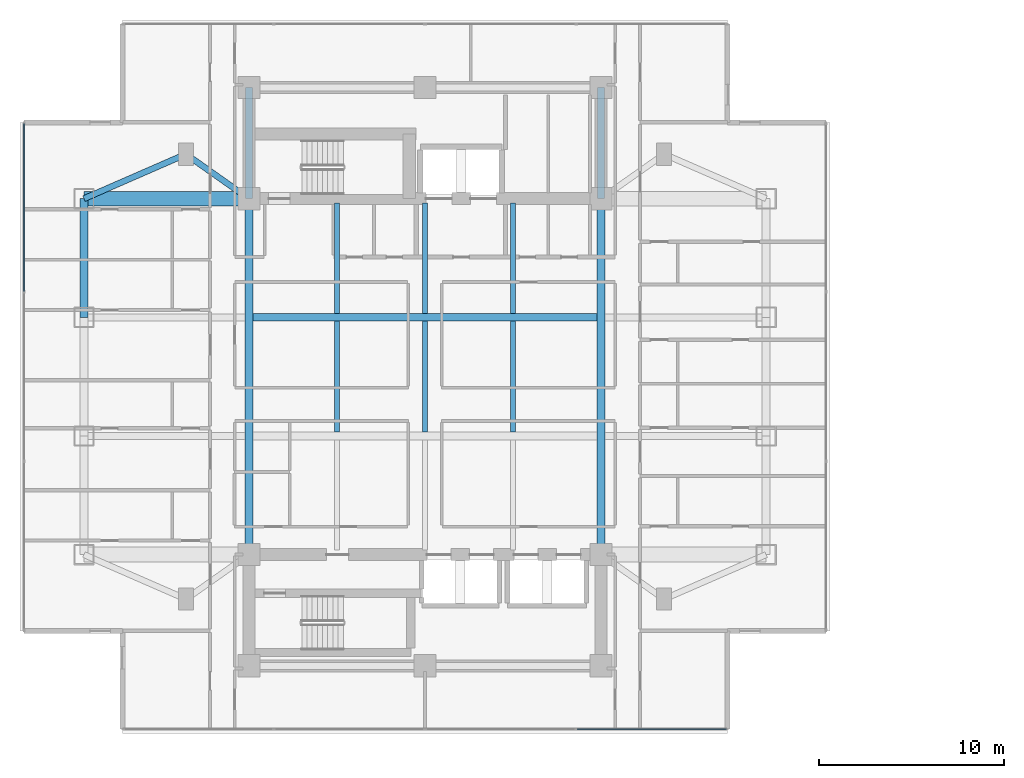
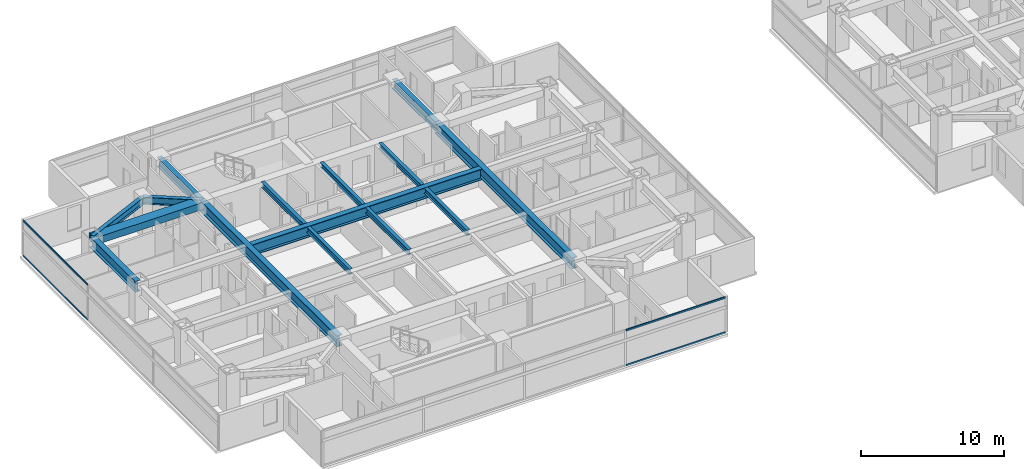
# One storey, part 3 of 25: 15 beams, 4 members, 2 elements without a shape of their own.
"""IFC4 building model written with IfcOpenShell, lengths in metres."""

from ifc_helpers import new_model, si_unit, direction, frame, origin, origin_2d, place, context, subcontext, project, spatial, rectangle, i_section, extrude, material, material_profile, profile_set, type_object, element, aggregate, save


model = new_model("IFC4")

# Units and contexts
model_context = context("Model", 3, precision=1e-05, world=origin(), true_north=direction((0.0, 1.0)))
body_context = subcontext(model_context, "Body", "Model", "MODEL_VIEW")
ifc_project = project(units=[si_unit("LENGTHUNIT", "METRE"), si_unit("AREAUNIT", "SQUARE_METRE"), si_unit("VOLUMEUNIT", "CUBIC_METRE"), si_unit("PLANEANGLEUNIT", "RADIAN"), si_unit("MASSUNIT", "GRAM", prefix="KILO")], contexts=[model_context])

# Site, building, storey
site_placement = place(None, origin())
site = spatial("IfcSite", under=ifc_project, at=site_placement, CompositionType="ELEMENT")
building_placement = place(site_placement, origin())
building = spatial("IfcBuilding", under=site, at=building_placement, Name="Mirazonda Arch Towers", CompositionType="ELEMENT")
storey_placement = place(building_placement, frame((0.0, 0.0, 104.89990234375)))
storey = spatial("IfcBuildingStorey", under=building, at=storey_placement, Name="L29", CompositionType="ELEMENT", Elevation=104.89990234375)

# Beams
ifc_material_1 = material(Name="Steel ASTM A992 Grade 50", Category="steel")
ifc_material_profile_1 = material_profile(ifc_material_1, i_section(OverallWidth=0.41796875, OverallDepth=0.927001953125, WebThickness=0.019287109375, FlangeThickness=0.031982421875, at=origin_2d()), Name="W36X231")
ifc_profile_set_1 = profile_set([ifc_material_profile_1], Name="Steel ASTM A992 Grade 50")
beam_type_1 = type_object("IfcBeamType", Name="BM-EXT-W36X231", PredefinedType="USERDEFINED", material=ifc_profile_set_1)
beam_1_placement = place(storey_placement, frame((2.10009765625, 31.199951171875, 2.61669921875), z_axis=(0.0, 1.0, 0.0), x_axis=(-1.0, 0.0, 0.0)))
element("IfcBeam", 1, at=beam_1_placement, inside=storey, type_object=beam_type_1, Name="L29 Floor Beam BM-T1-L29-NS-W-31", ObjectType="GIRDER", PredefinedType="USERDEFINED", context=body_context, shape_type="SweptSolid", body=[
    extrude(i_section(OverallWidth=0.41796875, OverallDepth=0.927001953125, WebThickness=0.019287109375, FlangeThickness=0.031982421875, at=origin_2d()), origin(), (0.0, 0.0, 1.0), 6.400146484375),
])
ifc_material_profile_2 = material_profile(ifc_material_1, i_section(OverallWidth=0.280029296875, OverallDepth=0.462890625, WebThickness=0.0107421875, FlangeThickness=0.017333984375, at=origin_2d()), Name="W18X76")
ifc_profile_set_2 = profile_set([ifc_material_profile_2], Name="Steel ASTM A992 Grade 50")
beam_type_2 = type_object("IfcBeamType", Name="BM-INT-W18X76", PredefinedType="JOIST", material=ifc_profile_set_2)
beam_2_placement = place(storey_placement, frame((15.75, 31.407470703125, 2.8486328125), z_axis=(0.0, 1.0, 0.0), x_axis=(-1.0, 0.0, 0.0)))
element("IfcBeam", 2, at=beam_2_placement, inside=storey, type_object=beam_type_2, Name="L29 Floor Beam BM-T1-L29-J-157-31", PredefinedType="JOIST", context=body_context, shape_type="SweptSolid", body=[
    extrude(i_section(OverallWidth=0.280029296875, OverallDepth=0.462890625, WebThickness=0.0107421875, FlangeThickness=0.017333984375, at=origin_2d()), origin(), (0.0, 0.0, 1.0), 5.95263671875),
])
beam_3_placement = place(storey_placement, frame((15.75, 25.007568359375, 2.8486328125), z_axis=(0.0, 1.0, 0.0), x_axis=(-1.0, 0.0, 0.0)))
element("IfcBeam", 3, at=beam_3_placement, inside=storey, type_object=beam_type_2, Name="L29 Floor Beam BM-T1-L29-J-157-24", PredefinedType="JOIST", context=body_context, shape_type="SweptSolid", body=[
    extrude(i_section(OverallWidth=0.280029296875, OverallDepth=0.462890625, WebThickness=0.0107421875, FlangeThickness=0.017333984375, at=origin_2d()), origin(), (0.0, 0.0, 1.0), 5.98486328125),
])
beam_4_placement = place(storey_placement, frame((20.5, 31.407470703125, 2.8486328125), z_axis=(0.0, 1.0, 0.0), x_axis=(-1.0, 0.0, 0.0)))
element("IfcBeam", 4, at=beam_4_placement, inside=storey, type_object=beam_type_2, Name="L29 Floor Beam BM-T1-L29-J-205-31", PredefinedType="JOIST", context=body_context, shape_type="SweptSolid", body=[
    extrude(i_section(OverallWidth=0.280029296875, OverallDepth=0.462890625, WebThickness=0.0107421875, FlangeThickness=0.017333984375, at=origin_2d()), origin(), (0.0, 0.0, 1.0), 5.95263671875),
])
beam_5_placement = place(storey_placement, frame((20.5, 25.007568359375, 2.8486328125), z_axis=(0.0, 1.0, 0.0), x_axis=(-1.0, 0.0, 0.0)))
element("IfcBeam", 5, at=beam_5_placement, inside=storey, type_object=beam_type_2, Name="L29 Floor Beam BM-T1-L29-J-205-24", PredefinedType="JOIST", context=body_context, shape_type="SweptSolid", body=[
    extrude(i_section(OverallWidth=0.280029296875, OverallDepth=0.462890625, WebThickness=0.0107421875, FlangeThickness=0.017333984375, at=origin_2d()), origin(), (0.0, 0.0, 1.0), 5.98486328125),
])
beam_6_placement = place(storey_placement, frame((25.25, 31.407470703125, 2.8486328125), z_axis=(0.0, 1.0, 0.0), x_axis=(-1.0, 0.0, 0.0)))
element("IfcBeam", 6, at=beam_6_placement, inside=storey, type_object=beam_type_2, Name="L29 Floor Beam BM-T1-L29-J-252-31", PredefinedType="JOIST", context=body_context, shape_type="SweptSolid", body=[
    extrude(i_section(OverallWidth=0.280029296875, OverallDepth=0.462890625, WebThickness=0.0107421875, FlangeThickness=0.017333984375, at=origin_2d()), origin(), (0.0, 0.0, 1.0), 5.95263671875),
])
beam_7_placement = place(storey_placement, frame((25.25, 25.007568359375, 2.8486328125), z_axis=(0.0, 1.0, 0.0), x_axis=(-1.0, 0.0, 0.0)))
element("IfcBeam", 7, at=beam_7_placement, inside=storey, type_object=beam_type_2, Name="L29 Floor Beam BM-T1-L29-J-252-24", PredefinedType="JOIST", context=body_context, shape_type="SweptSolid", body=[
    extrude(i_section(OverallWidth=0.280029296875, OverallDepth=0.462890625, WebThickness=0.0107421875, FlangeThickness=0.017333984375, at=origin_2d()), origin(), (0.0, 0.0, 1.0), 5.98486328125),
])
ifc_material_profile_3 = material_profile(ifc_material_1, i_section(OverallWidth=0.324951171875, OverallDepth=0.615966796875, WebThickness=0.013916015625, FlangeThickness=0.021484375, at=origin_2d()), Name="W24X117")
ifc_profile_set_3 = profile_set([ifc_material_profile_3], Name="Steel ASTM A992 Grade 50")
beam_type_3 = type_object("IfcBeamType", Name="BM-INT-W24X117", PredefinedType="BEAM", material=ifc_profile_set_3)
beam_8_placement = place(storey_placement, frame((7.60009765625, 40.0, 2.772216796875), z_axis=(0.816971114901, -0.576678591087, 0.0), x_axis=(0.576678591087, 0.816971114901, 0.0)))
element("IfcBeam", 8, at=beam_8_placement, inside=storey, type_object=beam_type_3, Name="L29 Floor Beam BM-T1-L29-PL-NW1", PredefinedType="BEAM", context=body_context, shape_type="SweptSolid", body=[
    extrude(i_section(OverallWidth=0.324951171875, OverallDepth=0.615966796875, WebThickness=0.013916015625, FlangeThickness=0.021484375, at=origin_2d()), origin(), (0.0, 0.0, 1.0), 4.16162109375),
])
beam_9_placement = place(storey_placement, frame((7.60009765625, 40.0, 2.772216796875), z_axis=(-0.916545343703, -0.399930785183, 0.0), x_axis=(0.399930785183, -0.916545343703, 0.0)))
element("IfcBeam", 9, at=beam_9_placement, inside=storey, type_object=beam_type_3, Name="L29 Floor Beam BM-T1-L29-PL-NW2", PredefinedType="BEAM", context=body_context, shape_type="SweptSolid", body=[
    extrude(i_section(OverallWidth=0.324951171875, OverallDepth=0.615966796875, WebThickness=0.013916015625, FlangeThickness=0.021484375, at=origin_2d()), origin(), (0.0, 0.0, 1.0), 6.000732421875),
])
ifc_material_profile_4 = material_profile(ifc_material_1, i_section(OverallWidth=0.381103515625, OverallDepth=0.77294921875, WebThickness=0.0166015625, FlangeThickness=0.027099609375, at=origin_2d()), Name="W30X173")
ifc_profile_set_4 = profile_set([ifc_material_profile_4], Name="Steel ASTM A992 Grade 50")
beam_type_4 = type_object("IfcBeamType", Name="BM-INT-W30X173", PredefinedType="USERDEFINED", material=ifc_profile_set_4)
for number, where, z_axis, x_axis, name in (
    (10, (11.0, 37.60009765625, 2.693603515625), (0.0, 1.0, 0.0), (-1.0, 0.0, 0.0), "L29 Floor Beam BM-T1-L29-CNW"),
    (11, (30.0, 37.60009765625, 2.693603515625), (0.0, 1.0, 0.0), (-1.0, 0.0, 0.0), "L29 Floor Beam BM-T1-L29-CNE"),
):
    element("IfcBeam", number, at=place(storey_placement, frame(where, z_axis=z_axis, x_axis=x_axis)), inside=storey, type_object=beam_type_4, Name=name, ObjectType="GIRDER", PredefinedType="USERDEFINED", context=body_context, shape_type="SweptSolid", body=[
        extrude(i_section(OverallWidth=0.381103515625, OverallDepth=0.77294921875, WebThickness=0.0166015625, FlangeThickness=0.027099609375, at=origin_2d()), origin(), (0.0, 0.0, 1.0), 6.0),
    ])
ifc_material_profile_5 = material_profile(ifc_material_1, i_section(OverallWidth=0.423095703125, OverallDepth=0.947998046875, WebThickness=0.02392578125, FlangeThickness=0.042724609375, at=origin_2d()), Name="W36X302")
ifc_profile_set_5 = profile_set([ifc_material_profile_5], Name="Steel ASTM A992 Grade 50")
beam_type_5 = type_object("IfcBeamType", Name="BM-INT-W36X302", PredefinedType="USERDEFINED", material=ifc_profile_set_5)
beam_10_placement = place(storey_placement, frame((11.21142578125, 31.199951171875, 2.606201171875), z_axis=(1.0, 0.0, 0.0), x_axis=(0.0, 1.0, 0.0)))
element("IfcBeam", 12, at=beam_10_placement, inside=storey, type_object=beam_type_5, Name="L29 Floor Beam BM-T1-L29-GC3", ObjectType="GIRDER", PredefinedType="USERDEFINED", context=body_context, shape_type="SweptSolid", body=[
    extrude(i_section(OverallWidth=0.423095703125, OverallDepth=0.947998046875, WebThickness=0.02392578125, FlangeThickness=0.042724609375, at=origin_2d()), origin(), (0.0, 0.0, 1.0), 18.5771484375),
])
for number, where, z_axis, x_axis, name in (
    (13, (11.0, 18.39990234375, 2.606201171875), (0.0, 1.0, 0.0), (-1.0, 0.0, 0.0), "L29 Floor Beam BM-T1-L29-NS-CW-FULL"),
    (14, (30.0, 18.39990234375, 2.606201171875), (0.0, 1.0, 0.0), (-1.0, 0.0, 0.0), "L29 Floor Beam BM-T1-L29-NS-CE-FULL"),
):
    element("IfcBeam", number, at=place(storey_placement, frame(where, z_axis=z_axis, x_axis=x_axis)), inside=storey, type_object=beam_type_5, Name=name, ObjectType="GIRDER", PredefinedType="USERDEFINED", context=body_context, shape_type="SweptSolid", body=[
        extrude(i_section(OverallWidth=0.423095703125, OverallDepth=0.947998046875, WebThickness=0.02392578125, FlangeThickness=0.042724609375, at=origin_2d()), origin(), (0.0, 0.0, 1.0), 19.2001953125),
    ])
ifc_material_2 = material(Name="Concrete C60/75", Category="concrete")
ifc_material_profile_6 = material_profile(ifc_material_2, rectangle(XDim=0.800048828125, YDim=0.60009765625, at=origin_2d()), Name="RCCB800x600")
ifc_profile_set_6 = profile_set([ifc_material_profile_6], Name="Concrete C60/75")
beam_type_6 = type_object("IfcBeamType", Name="CB-INT-RCCB800x600", PredefinedType="SPANDREL", material=ifc_profile_set_6)
beam_11_placement = place(storey_placement, frame((2.10009765625, 37.60009765625, 2.780029296875), z_axis=(1.0, 0.0, 0.0), x_axis=(0.0, 1.0, 0.0)))
element("IfcBeam", 15, at=beam_11_placement, inside=storey, type_object=beam_type_6, Name="L29 Floor Beam CBC-T1-L29-NW", PredefinedType="SPANDREL", context=body_context, shape_type="SweptSolid", body=[
    extrude(rectangle(XDim=0.800048828125, YDim=0.60009765625, at=origin_2d()), origin(), (0.0, 0.0, 1.0), 8.89990234375),
])

# Curtain wall, members
ifc_material_3 = material(Name="Anodised Aluminium and Low-E Glass", Category="aluminium")
curtain_wall_type = type_object("IfcCurtainWallType", Name="CW-HTL-UNIT", PredefinedType="NOTDEFINED", material=ifc_material_3)
curtain_wall_1_placement = place(storey_placement, origin())
curtain_wall_1 = element("IfcCurtainWall", 16, at=curtain_wall_1_placement, inside=storey, type_object=curtain_wall_type, Name="L29 T1 S Facade CW-L29-T1-S", PredefinedType="NOTDEFINED")
ifc_material_4 = material(Name="Anodised Aluminium Alloy", Category="aluminium")
ifc_material_profile_7 = material_profile(ifc_material_4, rectangle(XDim=0.074951171875, YDim=0.14501953125, at=origin_2d()), Name="ALU-TRAN-75x145")
ifc_profile_set_7 = profile_set([ifc_material_profile_7], Name="Anodised Aluminium Alloy")
member_type = type_object("IfcMemberType", Name="TRAN-CW-HTL-UNIT", PredefinedType="USERDEFINED", material=ifc_profile_set_7)
member_1_placement = place(storey_placement, frame((36.75, 8.97998046875, 0.03759765625), z_axis=(-1.0, 0.0, 0.0), x_axis=(0.0, -1.0, 0.0)))
member_1 = element("IfcMember", 17, at=member_1_placement, type_object=member_type, Name="CW-112 transom 1.1", ObjectType="TRANSOM", PredefinedType="USERDEFINED", context=body_context, shape_type="SweptSolid", body=[
    extrude(rectangle(XDim=0.074951171875, YDim=0.14501953125, at=origin_2d()), origin(), (0.0, 0.0, 1.0), 8.050048828125),
])
member_2_placement = place(storey_placement, frame((36.75, 8.97998046875, 3.022705078125), z_axis=(-1.0, 0.0, 0.0), x_axis=(0.0, -1.0, 0.0)))
member_2 = element("IfcMember", 18, at=member_2_placement, type_object=member_type, Name="CW-112 transom 1.2", ObjectType="TRANSOM", PredefinedType="USERDEFINED", context=body_context, shape_type="SweptSolid", body=[
    extrude(rectangle(XDim=0.074951171875, YDim=0.14501953125, at=origin_2d()), origin(), (0.0, 0.0, 1.0), 8.050048828125),
])
aggregate(curtain_wall_1, [member_1, member_2])

curtain_wall_2_placement = place(storey_placement, origin())
curtain_wall_2 = element("IfcCurtainWall", 19, at=curtain_wall_2_placement, inside=storey, type_object=curtain_wall_type, Name="L29 T1 W Facade CW-L29-T1-W", PredefinedType="NOTDEFINED")
member_3_placement = place(storey_placement, frame((-1.1298828125, 41.639892578125, 0.03759765625), z_axis=(0.0, -1.0, 0.0), x_axis=(1.0, 0.0, 0.0)))
member_3 = element("IfcMember", 20, at=member_3_placement, type_object=member_type, Name="CW-112 transom 1.1", ObjectType="TRANSOM", PredefinedType="USERDEFINED", context=body_context, shape_type="SweptSolid", body=[
    extrude(rectangle(XDim=0.074951171875, YDim=0.14501953125, at=origin_2d()), origin(), (0.0, 0.0, 1.0), 9.03076171875),
])
member_4_placement = place(storey_placement, frame((-1.1298828125, 41.639892578125, 3.022705078125), z_axis=(0.0, -1.0, 0.0), x_axis=(1.0, 0.0, 0.0)))
member_4 = element("IfcMember", 21, at=member_4_placement, type_object=member_type, Name="CW-112 transom 1.2", ObjectType="TRANSOM", PredefinedType="USERDEFINED", context=body_context, shape_type="SweptSolid", body=[
    extrude(rectangle(XDim=0.074951171875, YDim=0.14501953125, at=origin_2d()), origin(), (0.0, 0.0, 1.0), 9.03076171875),
])
aggregate(curtain_wall_2, [member_3, member_4])

save(model, "model.ifc")
